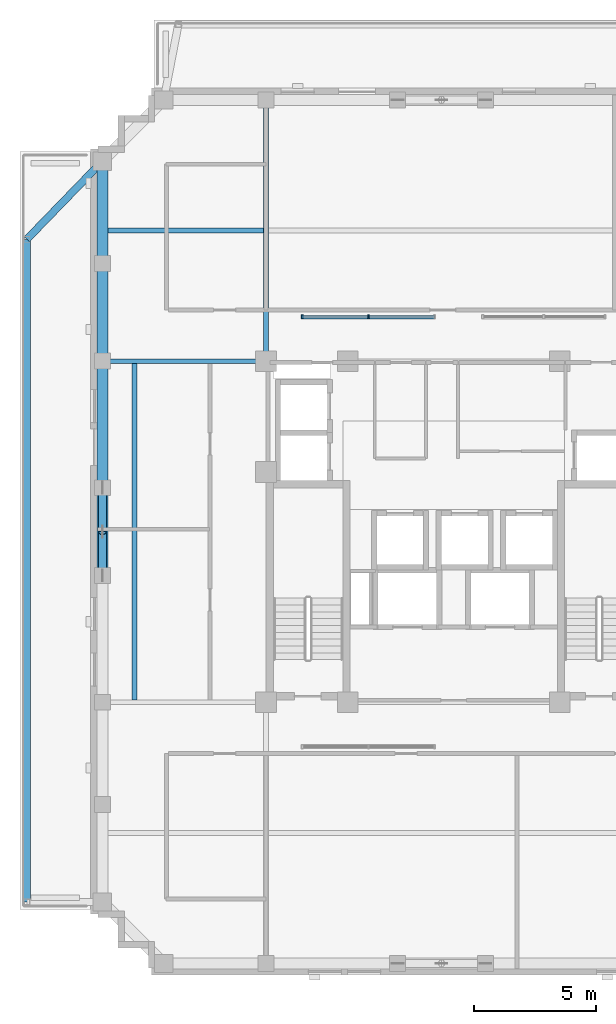
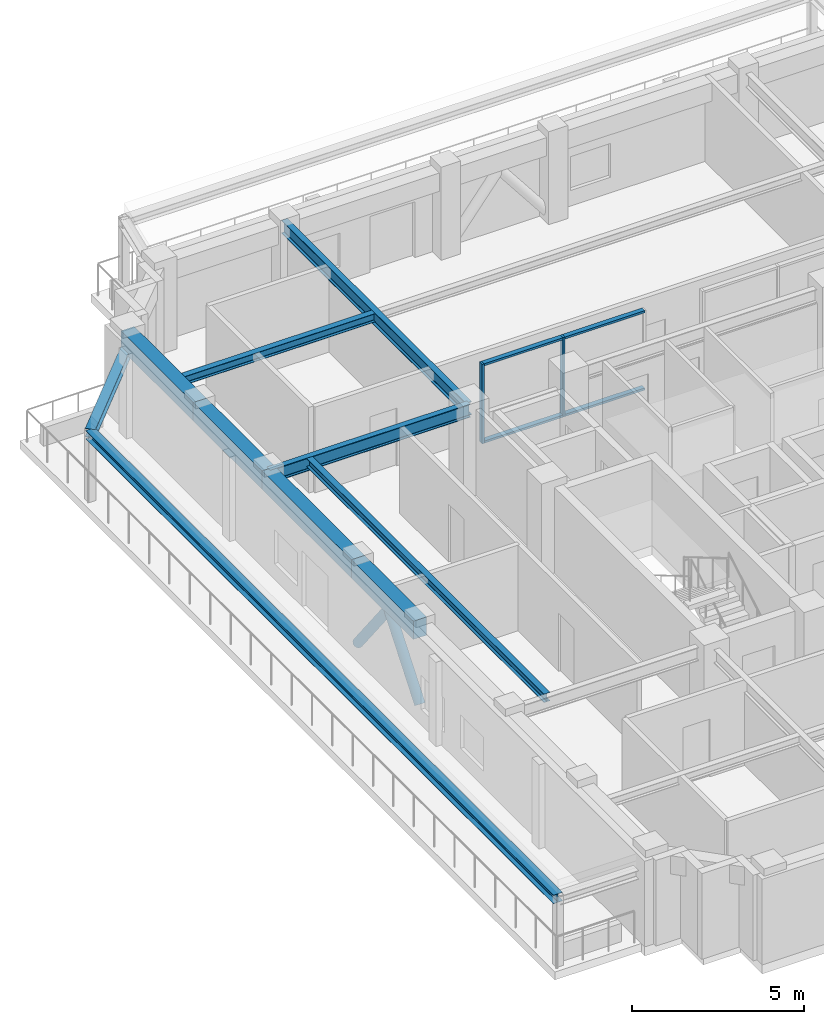
# One storey, part 5 of 14: 10 beams, 8 members, 1 element without a shape of its own.
"""IFC4 building model written with IfcOpenShell, lengths in metres."""

from ifc_helpers import new_model, si_unit, derived_unit, direction, frame, origin, origin_2d, place, context, subcontext, project, spatial, rectangle, hollow_circle, i_section, extrude, material, material_profile, profile_set, type_object, element, aggregate, save


model = new_model("IFC4")

# Units and contexts
model_context = context("Model", 3, precision=1e-05, world=origin(), true_north=direction((0.0, 1.0)))
body_context = subcontext(model_context, "Body", "Model", "MODEL_VIEW")
ifc_project = project(units=[si_unit("LENGTHUNIT", "METRE"), si_unit("AREAUNIT", "SQUARE_METRE"), si_unit("VOLUMEUNIT", "CUBIC_METRE"), si_unit("PLANEANGLEUNIT", "RADIAN"), si_unit("MASSUNIT", "GRAM", prefix="KILO"), derived_unit("THERMALTRANSMITTANCEUNIT", [(si_unit("MASSUNIT", "GRAM", prefix="KILO"), 1), (si_unit("TIMEUNIT", "SECOND"), -3), (si_unit("THERMODYNAMICTEMPERATUREUNIT", "KELVIN"), -1)])], contexts=[model_context])

# Site, building, storey
site_placement = place(None, origin())
site = spatial("IfcSite", under=ifc_project, at=site_placement, CompositionType="ELEMENT")
building_placement = place(site_placement, origin())
building = spatial("IfcBuilding", under=site, at=building_placement, Name="Korrvale Station Residences", CompositionType="ELEMENT")
storey_placement = place(building_placement, frame((0.0, 0.0, 174.39990234375)))
storey = spatial("IfcBuildingStorey", under=building, at=storey_placement, Name="L50", CompositionType="ELEMENT", Elevation=174.39990234375)

# Beams
ifc_material_1 = material(Name="Steel S355", Category="steel")
ifc_material_profile_1 = material_profile(ifc_material_1, i_section(OverallWidth=0.194091796875, OverallDepth=0.468994140625, WebThickness=0.0126953125, FlangeThickness=0.0205078125, FilletRadius=0.01611328125, at=origin_2d()), Name="W460x106")
ifc_profile_set_1 = profile_set([ifc_material_profile_1], Name="Steel S355")
beam_type_1 = type_object("IfcBeamType", Name="BM-BM-W460x106-S355", PredefinedType="BEAM", material=ifc_profile_set_1)
beam_1_placement = place(storey_placement, frame((17.800048828125, 29.0, 2.8056640625), z_axis=(0.0, 1.0, 0.0), x_axis=(-1.0, 0.0, 0.0)))
element("IfcBeam", 1, at=beam_1_placement, inside=storey, type_object=beam_type_1, Name="L50 Bundled-Tube Web Girder 03", PredefinedType="BEAM", context=body_context, shape_type="SweptSolid", body=[
    extrude(i_section(OverallWidth=0.194091796875, OverallDepth=0.468994140625, WebThickness=0.0126953125, FlangeThickness=0.0205078125, FilletRadius=0.01611328125, at=origin_2d()), origin(), (0.0, 0.0, 1.0), 10.719970703125),
])
beam_2_placement = place(storey_placement, frame((11.080078125, 29.0, 2.8056640625), z_axis=(1.0, 0.0, 0.0), x_axis=(0.0, 1.0, 0.0)))
element("IfcBeam", 2, at=beam_2_placement, inside=storey, type_object=beam_type_1, Name="L50 Bundled-Tube Web Girder 07", PredefinedType="BEAM", context=body_context, shape_type="SweptSolid", body=[
    extrude(i_section(OverallWidth=0.194091796875, OverallDepth=0.468994140625, WebThickness=0.0126953125, FlangeThickness=0.0205078125, FilletRadius=0.01611328125, at=origin_2d()), origin(), (0.0, 0.0, 1.0), 6.719970703125),
])
ifc_material_profile_2 = material_profile(ifc_material_1, i_section(OverallWidth=0.202880859375, OverallDepth=0.302978515625, WebThickness=0.007568359375, FlangeThickness=0.01318359375, FilletRadius=0.014892578125, at=origin_2d()), Name="W310x60")
ifc_profile_set_2 = profile_set([ifc_material_profile_2], Name="Steel S355")
beam_type_2 = type_object("IfcBeamType", Name="BM-JST-W310x60-S355", PredefinedType="JOIST", material=ifc_profile_set_2)
beam_3_placement = place(storey_placement, frame((11.304931640625, 34.360107421875, 2.888671875), z_axis=(1.0, 0.0, 0.0), x_axis=(0.0, 1.0, 0.0)))
element("IfcBeam", 3, at=beam_3_placement, inside=storey, type_object=beam_type_2, Name="L50 Floor Framing Joist 04", PredefinedType="JOIST", context=body_context, shape_type="SweptSolid", body=[
    extrude(i_section(OverallWidth=0.202880859375, OverallDepth=0.302978515625, WebThickness=0.007568359375, FlangeThickness=0.01318359375, FilletRadius=0.014892578125, at=origin_2d()), origin(), (0.0, 0.0, 1.0), 6.39794921875),
])
beam_4_placement = place(storey_placement, frame((12.39990234375, 15.096923828125, 2.888671875), z_axis=(0.0, 1.0, 0.0), x_axis=(-1.0, 0.0, 0.0)))
element("IfcBeam", 4, at=beam_4_placement, inside=storey, type_object=beam_type_2, Name="L50 Floor Framing Joist 08", PredefinedType="JOIST", context=body_context, shape_type="SweptSolid", body=[
    extrude(i_section(OverallWidth=0.202880859375, OverallDepth=0.302978515625, WebThickness=0.007568359375, FlangeThickness=0.01318359375, FilletRadius=0.014892578125, at=origin_2d()), origin(), (0.0, 0.0, 1.0), 13.80615234375),
])
ifc_material_2 = material(Name="Concrete C50/60", Category="concrete")
ifc_material_profile_3 = material_profile(ifc_material_2, rectangle(XDim=0.449951171875, YDim=0.64990234375, at=origin_2d()), Name="RCB450x650")
ifc_profile_set_3 = profile_set([ifc_material_profile_3], Name="Concrete C50/60")
beam_type_3 = type_object("IfcBeamType", Name="BM-SPB-RCB450x650-C5060", PredefinedType="SPANDREL", material=ifc_profile_set_3)
beam_5_placement = place(storey_placement, frame((11.080078125, 20.199951171875, 2.715087890625), z_axis=(0.0, 1.0, 0.0), x_axis=(-1.0, 0.0, 0.0)))
element("IfcBeam", 5, at=beam_5_placement, inside=storey, type_object=beam_type_3, Name="L50 West Tube Spandrel 14", PredefinedType="SPANDREL", context=body_context, shape_type="SweptSolid", body=[
    extrude(rectangle(XDim=0.449951171875, YDim=0.64990234375, at=origin_2d()), origin(), (0.0, 0.0, 1.0), 3.60009765625),
])
beam_6_placement = place(storey_placement, frame((11.080078125, 23.800048828125, 2.715087890625), z_axis=(0.0, 1.0, 0.0), x_axis=(-1.0, 0.0, 0.0)))
element("IfcBeam", 6, at=beam_6_placement, inside=storey, type_object=beam_type_3, Name="L50 West Tube Spandrel 15", PredefinedType="SPANDREL", context=body_context, shape_type="SweptSolid", body=[
    extrude(rectangle(XDim=0.449951171875, YDim=0.64990234375, at=origin_2d()), origin(), (0.0, 0.0, 1.0), 5.199951171875),
])
beam_7_placement = place(storey_placement, frame((11.080078125, 29.0, 2.715087890625), z_axis=(0.0, 1.0, 0.0), x_axis=(-1.0, 0.0, 0.0)))
element("IfcBeam", 7, at=beam_7_placement, inside=storey, type_object=beam_type_3, Name="L50 West Tube Spandrel 16", PredefinedType="SPANDREL", context=body_context, shape_type="SweptSolid", body=[
    extrude(rectangle(XDim=0.449951171875, YDim=0.64990234375, at=origin_2d()), origin(), (0.0, 0.0, 1.0), 4.0),
])
beam_8_placement = place(storey_placement, frame((11.080078125, 33.0, 2.715087890625), z_axis=(0.0, 1.0, 0.0), x_axis=(-1.0, 0.0, 0.0)))
element("IfcBeam", 8, at=beam_8_placement, inside=storey, type_object=beam_type_3, Name="L50 West Tube Spandrel 17", PredefinedType="SPANDREL", context=body_context, shape_type="SweptSolid", body=[
    extrude(rectangle(XDim=0.449951171875, YDim=0.64990234375, at=origin_2d()), origin(), (0.0, 0.0, 1.0), 4.199951171875),
])
ifc_material_profile_4 = material_profile(ifc_material_1, i_section(OverallWidth=0.304931640625, OverallDepth=0.30810546875, WebThickness=0.010009765625, FlangeThickness=0.015380859375, FilletRadius=0.014892578125, at=origin_2d()), Name="W310x97")
ifc_profile_set_4 = profile_set([ifc_material_profile_4], Name="Steel S355")
beam_type_4 = type_object("IfcBeamType", Name="BM-SPB-W310x97-S355", PredefinedType="SPANDREL", material=ifc_profile_set_4)
beam_9_placement = place(storey_placement, frame((7.97998046875, 6.800048828125, 2.34619140625), z_axis=(0.0, 1.0, 0.0), x_axis=(-1.0, 0.0, 0.0)))
element("IfcBeam", 9, at=beam_9_placement, inside=storey, type_object=beam_type_4, Name="L50 Setback Canopy Edge Beam 1", PredefinedType="SPANDREL", context=body_context, shape_type="SweptSolid", body=[
    extrude(i_section(OverallWidth=0.304931640625, OverallDepth=0.30810546875, WebThickness=0.010009765625, FlangeThickness=0.015380859375, FilletRadius=0.014892578125, at=origin_2d()), origin(), (0.0, 0.0, 1.0), 27.199951171875),
])
beam_10_placement = place(storey_placement, frame((7.97998046875, 34.0, 2.34619140625), z_axis=(0.695811999799, 0.718223962936, 0.0), x_axis=(-0.718223962936, 0.695811999799, 0.0)))
element("IfcBeam", 10, at=beam_10_placement, inside=storey, type_object=beam_type_4, Name="L50 Setback Canopy Edge Beam 3", PredefinedType="SPANDREL", context=body_context, shape_type="SweptSolid", body=[
    extrude(i_section(OverallWidth=0.304931640625, OverallDepth=0.30810546875, WebThickness=0.010009765625, FlangeThickness=0.015380859375, FilletRadius=0.014892578125, at=origin_2d()), origin(), (0.0, 0.0, 1.0), 4.455322265625),
])

# Curtain wall, members
ifc_material_3 = material(Name="Unitised thermally broken aluminium curtain wall with triple low-e IGU", Category="aluminium")
curtain_wall_type = type_object("IfcCurtainWallType", Name="CW-SKY-L35", PredefinedType="NOTDEFINED", material=ifc_material_3)
curtain_wall_placement = place(storey_placement, origin())
curtain_wall = element("IfcCurtainWall", 11, at=curtain_wall_placement, inside=storey, type_object=curtain_wall_type, Name="L50 Curtain Wall CW4-RUN-4", PredefinedType="NOTDEFINED")
ifc_material_4 = material(Name="Extruded thermally broken aluminium mullion", Category="aluminium")
member_type_1 = type_object("IfcMemberType", Name="CW-SKY-L35-M", PredefinedType="MULLION", material=ifc_material_4)
member_1_placement = place(storey_placement, frame((19.28759765625, 30.820068359375, 0.0), z_axis=(0.0, 0.0, 1.0), x_axis=(1.0, 0.0, 0.0)))
member_1 = element("IfcMember", 12, at=member_1_placement, type_object=member_type_1, Name="CW-SKY-L35 Mullion 1", PredefinedType="MULLION", context=body_context, shape_type="SweptSolid", body=[
    extrude(rectangle(XDim=0.074951171875, YDim=0.1650390625, at=origin_2d()), origin(), (0.0, 0.0, 1.0), 2.820068359375),
])
member_2_placement = place(storey_placement, frame((22.0, 30.820068359375, 0.0), z_axis=(0.0, 0.0, 1.0), x_axis=(1.0, 0.0, 0.0)))
member_2 = element("IfcMember", 13, at=member_2_placement, type_object=member_type_1, Name="CW-SKY-L35 Mullion 2", PredefinedType="MULLION", context=body_context, shape_type="SweptSolid", body=[
    extrude(rectangle(XDim=0.074951171875, YDim=0.1650390625, at=origin_2d()), origin(), (0.0, 0.0, 1.0), 2.820068359375),
])
ifc_material_5 = material(Name="Extruded thermally broken aluminium transom", Category="aluminium")
member_type_2 = type_object("IfcMemberType", Name="CW-SKY-L35-T", PredefinedType="USERDEFINED", material=ifc_material_5)
member_3_placement = place(storey_placement, frame((20.625, 30.820068359375, 0.0), z_axis=(0.0, 0.0, 1.0), x_axis=(1.0, 0.0, 0.0)))
member_3 = element("IfcMember", 14, at=member_3_placement, type_object=member_type_2, Name="CW-SKY-L35 Transom 1-1", ObjectType="TRANSOM", PredefinedType="USERDEFINED", context=body_context, shape_type="SweptSolid", body=[
    extrude(rectangle(XDim=2.675048828125, YDim=0.1650390625, at=origin_2d()), origin(), (0.0, 0.0, 1.0), 0.074951171875),
])
member_4_placement = place(storey_placement, frame((20.625, 30.820068359375, 2.7451171875), z_axis=(0.0, 0.0, 1.0), x_axis=(1.0, 0.0, 0.0)))
member_4 = element("IfcMember", 15, at=member_4_placement, type_object=member_type_2, Name="CW-SKY-L35 Transom 1-2", ObjectType="TRANSOM", PredefinedType="USERDEFINED", context=body_context, shape_type="SweptSolid", body=[
    extrude(rectangle(XDim=2.675048828125, YDim=0.1650390625, at=origin_2d()), origin(), (0.0, 0.0, 1.0), 0.074951171875),
])
member_5_placement = place(storey_placement, frame((23.375, 30.820068359375, 0.0), z_axis=(0.0, 0.0, 1.0), x_axis=(1.0, 0.0, 0.0)))
member_5 = element("IfcMember", 16, at=member_5_placement, type_object=member_type_2, Name="CW-SKY-L35 Transom 2-1", ObjectType="TRANSOM", PredefinedType="USERDEFINED", context=body_context, shape_type="SweptSolid", body=[
    extrude(rectangle(XDim=2.675048828125, YDim=0.1650390625, at=origin_2d()), origin(), (0.0, 0.0, 1.0), 0.074951171875),
])
member_6_placement = place(storey_placement, frame((23.375, 30.820068359375, 2.7451171875), z_axis=(0.0, 0.0, 1.0), x_axis=(1.0, 0.0, 0.0)))
member_6 = element("IfcMember", 17, at=member_6_placement, type_object=member_type_2, Name="CW-SKY-L35 Transom 2-2", ObjectType="TRANSOM", PredefinedType="USERDEFINED", context=body_context, shape_type="SweptSolid", body=[
    extrude(rectangle(XDim=2.675048828125, YDim=0.1650390625, at=origin_2d()), origin(), (0.0, 0.0, 1.0), 0.074951171875),
])
aggregate(curtain_wall, [member_1, member_2, member_3, member_4, member_5, member_6])

# Members
ifc_material_profile_5 = material_profile(ifc_material_1, hollow_circle(Radius=0.161865234375, WallThickness=0.015869140625, at=origin_2d()), Name="HSS324x16")
ifc_profile_set_5 = profile_set([ifc_material_profile_5], Name="Steel S355")
member_type_3 = type_object("IfcMemberType", Name="MBR-BR-HSS324x16", PredefinedType="BRACE", material=ifc_profile_set_5)
for number, where, z_axis, x_axis, name in (
    (18, (11.080078125, 20.199951171875, 0.02001953125), (0.0, 0.617977009695, 0.786196168579), (-1.0, 0.0, 0.0), "L50 W Perimeter Tube Wind Brace 1"),
    (19, (11.080078125, 23.800048828125, 0.02001953125), (0.0, -0.617977009695, 0.786196168579), (1.0, 0.0, 0.0), "L50 W Perimeter Tube Wind Brace 2"),
):
    element("IfcMember", number, at=place(storey_placement, frame(where, z_axis=z_axis, x_axis=x_axis)), inside=storey, type_object=member_type_3, Name=name, PredefinedType="BRACE", context=body_context, shape_type="SweptSolid", body=[
        extrude(hollow_circle(Radius=0.161865234375, WallThickness=0.015869140625, at=origin_2d()), origin(), (0.0, 0.0, 1.0), 2.912841796875),
    ])

save(model, "model.ifc")
